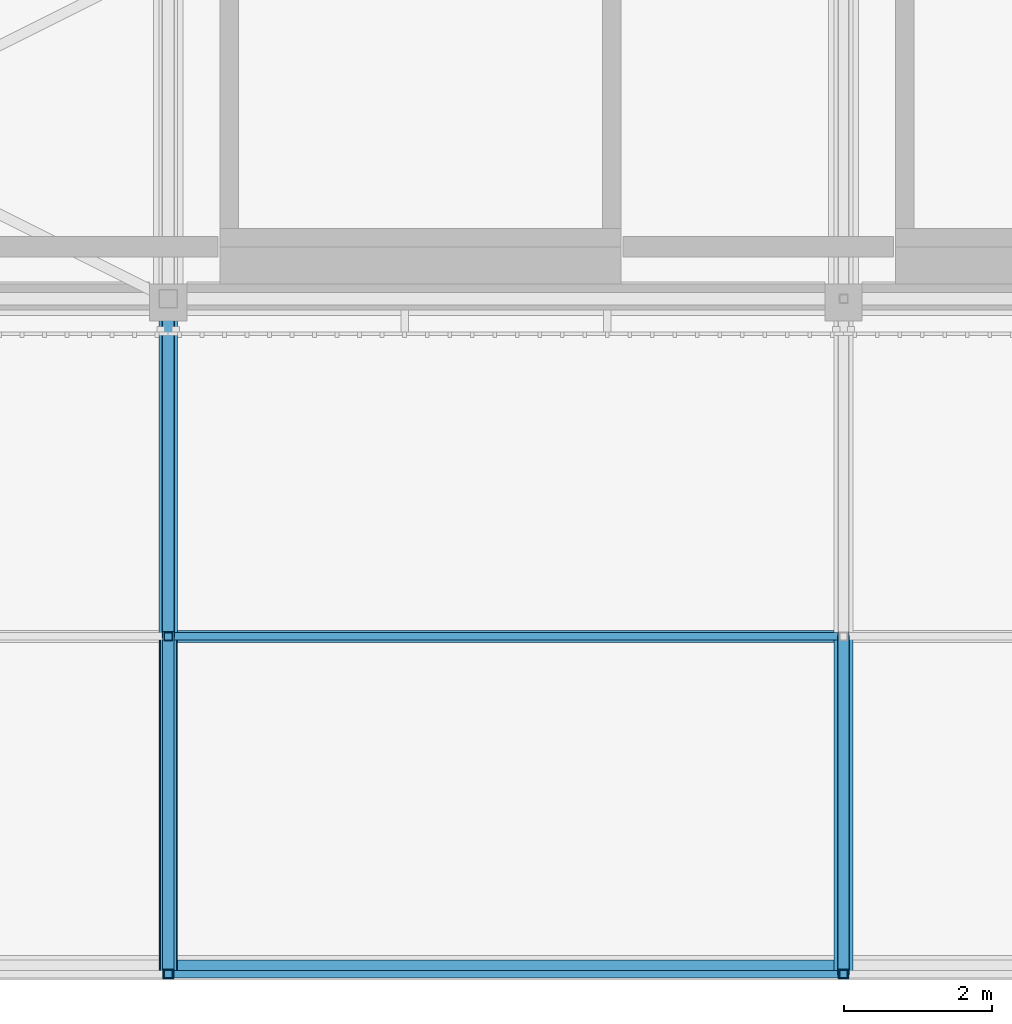
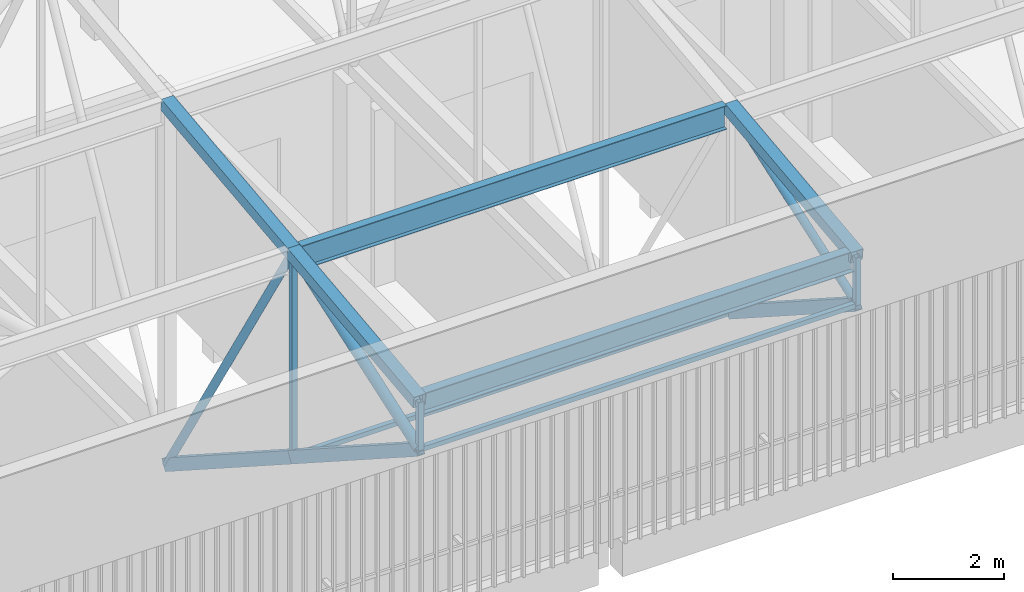
# One storey, part 7 of 500: 16 members.
"""IFC4 building model written with IfcOpenShell, lengths in metres."""

from ifc_helpers import new_model, si_unit, direction, frame, origin, origin_2d, place, context, subcontext, project, spatial, hollow_rectangle, hollow_circle, i_section, extrude, material, material_profile, profile_set, type_object, element, save


model = new_model("IFC4")

# Units and contexts
model_context = context("Model", 3, precision=1e-05, world=origin(), true_north=direction((0.0, 1.0)))
body_context = subcontext(model_context, "Body", "Model", "MODEL_VIEW")
ifc_project = project(units=[si_unit("LENGTHUNIT", "METRE"), si_unit("AREAUNIT", "SQUARE_METRE"), si_unit("VOLUMEUNIT", "CUBIC_METRE"), si_unit("PLANEANGLEUNIT", "RADIAN"), si_unit("MASSUNIT", "GRAM", prefix="KILO")], contexts=[model_context])

# Site, building, storey
site_placement = place(None, origin())
site = spatial("IfcSite", under=ifc_project, at=site_placement, CompositionType="ELEMENT")
building_placement = place(site_placement, origin())
building = spatial("IfcBuilding", under=site, at=building_placement, Name="Shirokan Park Arena", CompositionType="ELEMENT")
storey_placement = place(building_placement, frame((0.0, 0.0, 29.1201171875)))
storey = spatial("IfcBuildingStorey", under=building, at=storey_placement, Name="L06", CompositionType="ELEMENT", Elevation=29.1201171875)

# Members
ifc_material_1 = material(Name="Steel ASTM A500 Grade C", Category="steel")
ifc_material_profile_1 = material_profile(ifc_material_1, hollow_rectangle(XDim=0.152099609375, YDim=0.25390625, WallThickness=0.009521484375, at=origin_2d()), Name="HSS254X152.4X9.5")
ifc_profile_set_1 = profile_set([ifc_material_profile_1], Name="Steel ASTM A500 Grade C")
member_type_1 = type_object("IfcMemberType", Name="Bottom chord HSS254X152.4X9.5", PredefinedType="CHORD", material=ifc_profile_set_1)
for number, where, z_axis, x_axis, name in (
    (1, (9.10009765625, -9.10009765625, 10.531982421875), (0.0, 0.840971691661, -0.541079119746), (-1.0, 0.0, 0.0), "Truss T02 bottom chord 1"),
    (2, (9.10009765625, -4.550048828125, 7.6044921875), (0.0, 0.840971691661, -0.541079119746), (-1.0, 0.0, 0.0), "Truss T02 bottom chord 2"),
    (3, (18.199951171875, -9.10009765625, 10.531982421875), (0.0, 0.840971691661, -0.541079119746), (-1.0, 0.0, 0.0), "Truss T03 bottom chord 1"),
):
    element("IfcMember", number, at=place(storey_placement, frame(where, z_axis=z_axis, x_axis=x_axis)), inside=storey, type_object=member_type_1, Name=name, PredefinedType="CHORD", context=body_context, shape_type="SweptSolid", body=[
        extrude(hollow_rectangle(XDim=0.152099609375, YDim=0.25390625, WallThickness=0.009521484375, at=origin_2d()), origin(), (0.0, 0.0, 1.0), 5.410400390625),
    ])
ifc_material_profile_2 = material_profile(ifc_material_1, hollow_rectangle(XDim=0.10205078125, YDim=0.10205078125, WallThickness=0.00634765625, at=origin_2d()), Name="HSS101.6X101.6X6.4")
ifc_profile_set_2 = profile_set([ifc_material_profile_2], Name="Steel ASTM A500 Grade C")
member_type_2 = type_object("IfcMemberType", Name="Eave soffit rail HSS101.6X101.6X6.4", PredefinedType="USERDEFINED", material=ifc_profile_set_2)
for number, where, z_axis, x_axis, name in (
    (4, (9.156982421875, -9.10009765625, 10.531982421875), (1.0, 0.0, 0.0), (0.0, 1.0, 0.0), "Eave soffit rail S 1 bay 2"),
    (5, (9.156982421875, -4.550048828125, 7.6044921875), (1.0, 0.0, 0.0), (0.0, 1.0, 0.0), "Eave soffit rail S 2 bay 2"),
):
    element("IfcMember", number, at=place(storey_placement, frame(where, z_axis=z_axis, x_axis=x_axis)), inside=storey, type_object=member_type_2, Name=name, ObjectType="EAVE SOFFIT RAIL", PredefinedType="USERDEFINED", context=body_context, shape_type="SweptSolid", body=[
        extrude(hollow_rectangle(XDim=0.10205078125, YDim=0.10205078125, WallThickness=0.00634765625, at=origin_2d()), origin(), (0.0, 0.0, 1.0), 8.986083984375),
    ])
ifc_material_2 = material(Name="Steel ASTM A992", Category="steel")
ifc_material_profile_3 = material_profile(ifc_material_2, i_section(OverallWidth=0.166015625, OverallDepth=0.528076171875, WebThickness=0.009765625, FlangeThickness=0.013671875, at=origin_2d()), Name="W530X74")
ifc_profile_set_3 = profile_set([ifc_material_profile_3], Name="Steel ASTM A992")
member_type_3 = type_object("IfcMemberType", Name="Purlin W530X74", PredefinedType="PURLIN", material=ifc_profile_set_3)
member_1_placement = place(storey_placement, frame((9.22705078125, -4.550048828125, 11.9658203125), z_axis=(1.0, 0.0, 0.0), x_axis=(0.0, 1.0, 0.0)))
element("IfcMember", 6, at=member_1_placement, inside=storey, type_object=member_type_3, Name="Purlin 2 bay 2", PredefinedType="PURLIN", context=body_context, shape_type="SweptSolid", body=[
    extrude(i_section(OverallWidth=0.166015625, OverallDepth=0.528076171875, WebThickness=0.009765625, FlangeThickness=0.013671875, at=origin_2d()), origin(), (0.0, 0.0, 1.0), 8.845947265625),
])
ifc_material_profile_4 = material_profile(ifc_material_2, i_section(OverallWidth=0.19091796875, OverallDepth=0.45703125, WebThickness=0.009033203125, FlangeThickness=0.014404296875, at=origin_2d()), Name="W460X74")
ifc_profile_set_4 = profile_set([ifc_material_profile_4], Name="Steel ASTM A992")
member_type_4 = type_object("IfcMemberType", Name="Roof edge beam W460X74", PredefinedType="USERDEFINED", material=ifc_profile_set_4)
member_2_placement = place(storey_placement, frame((9.156982421875, -9.00439453125, 11.4814453125), z_axis=(1.0, 0.0, 0.0), x_axis=(0.0, 1.0, 0.0)))
element("IfcMember", 7, at=member_2_placement, inside=storey, type_object=member_type_4, Name="Roof edge beam S 3", ObjectType="ROOF EDGE BEAM", PredefinedType="USERDEFINED", context=body_context, shape_type="SweptSolid", body=[
    extrude(i_section(OverallWidth=0.19091796875, OverallDepth=0.45703125, WebThickness=0.009033203125, FlangeThickness=0.014404296875, at=origin_2d()), origin(), (0.0, 0.0, 1.0), 8.986083984375),
])
ifc_material_profile_5 = material_profile(ifc_material_1, hollow_rectangle(XDim=0.25390625, YDim=0.25390625, WallThickness=0.009521484375, at=origin_2d()), Name="HSS254X254X9.5")
ifc_profile_set_5 = profile_set([ifc_material_profile_5], Name="Steel ASTM A500 Grade C")
member_type_5 = type_object("IfcMemberType", Name="Top chord HSS254X254X9.5", PredefinedType="CHORD", material=ifc_profile_set_5)
for number, where, z_axis, x_axis, name in (
    (8, (9.10009765625, -9.10009765625, 11.582763671875), (0.0, 0.993532328996, 0.113549598152), (-1.0, 0.0, 0.0), "Truss T02 top chord 1"),
    (9, (9.10009765625, -4.550048828125, 12.102783203125), (0.0, 0.993532328996, 0.113549598152), (-1.0, 0.0, 0.0), "Truss T02 top chord 2"),
    (10, (18.199951171875, -9.10009765625, 11.582763671875), (0.0, 0.993532328996, 0.113549598152), (-1.0, 0.0, 0.0), "Truss T03 top chord 1"),
):
    element("IfcMember", number, at=place(storey_placement, frame(where, z_axis=z_axis, x_axis=x_axis)), inside=storey, type_object=member_type_5, Name=name, PredefinedType="CHORD", context=body_context, shape_type="SweptSolid", body=[
        extrude(hollow_rectangle(XDim=0.25390625, YDim=0.25390625, WallThickness=0.009521484375, at=origin_2d()), origin(), (0.0, 0.0, 1.0), 4.57958984375),
    ])
ifc_material_profile_6 = material_profile(ifc_material_1, hollow_circle(Radius=0.083984375, WallThickness=0.009521484375, at=origin_2d()), Name="HSS168.3X9.5")
ifc_profile_set_6 = profile_set([ifc_material_profile_6], Name="Steel ASTM A500 Grade C")
member_type_6 = type_object("IfcMemberType", Name="Truss diagonal HSS168.3X9.5", PredefinedType="BRACE", material=ifc_profile_set_6)
member_3_placement = place(storey_placement, frame((9.10009765625, -4.550048828125, 12.102783203125), z_axis=(0.0, 0.522458847856, -0.852664501605), x_axis=(-1.0, 0.0, 0.0)))
element("IfcMember", 11, at=member_3_placement, inside=storey, type_object=member_type_6, Name="Truss T02 diagonal 2", PredefinedType="BRACE", context=body_context, shape_type="SweptSolid", body=[
    extrude(hollow_circle(Radius=0.083984375, WallThickness=0.009521484375, at=origin_2d()), origin(), (0.0, 0.0, 1.0), 8.708984375),
])
member_4_placement = place(storey_placement, frame((18.199951171875, -9.10009765625, 10.531982421875), z_axis=(0.0, 0.945256498603, 0.326328288459), x_axis=(-1.0, 0.0, 0.0)))
element("IfcMember", 12, at=member_4_placement, inside=storey, type_object=member_type_6, Name="Truss T03 diagonal 1", PredefinedType="BRACE", context=body_context, shape_type="SweptSolid", body=[
    extrude(hollow_circle(Radius=0.083984375, WallThickness=0.009521484375, at=origin_2d()), origin(), (0.0, 0.0, 1.0), 4.8134765625),
])
ifc_material_profile_7 = material_profile(ifc_material_1, hollow_circle(Radius=0.109619140625, WallThickness=0.009521484375, at=origin_2d()), Name="HSS219.1X9.5")
ifc_profile_set_7 = profile_set([ifc_material_profile_7], Name="Steel ASTM A500 Grade C")
member_type_7 = type_object("IfcMemberType", Name="Truss diagonal HSS219.1X9.5", PredefinedType="BRACE", material=ifc_profile_set_7)
member_5_placement = place(storey_placement, frame((9.10009765625, -9.10009765625, 10.531982421875), z_axis=(0.0, 0.945256498603, 0.326328288459), x_axis=(-1.0, 0.0, 0.0)))
element("IfcMember", 13, at=member_5_placement, inside=storey, type_object=member_type_7, Name="Truss T02 diagonal 1", PredefinedType="BRACE", context=body_context, shape_type="SweptSolid", body=[
    extrude(hollow_circle(Radius=0.109619140625, WallThickness=0.009521484375, at=origin_2d()), origin(), (0.0, 0.0, 1.0), 4.8134765625),
])
ifc_material_profile_8 = material_profile(ifc_material_1, hollow_rectangle(XDim=0.114013671875, YDim=0.114013671875, WallThickness=0.00634765625, at=origin_2d()), Name="HSS114.3X114.3X6.4")
ifc_profile_set_8 = profile_set([ifc_material_profile_8], Name="Steel ASTM A500 Grade C")
member_type_8 = type_object("IfcMemberType", Name="Truss post HSS114.3X114.3X6.4", PredefinedType="POST", material=ifc_profile_set_8)
member_6_placement = place(storey_placement, frame((9.10009765625, -9.10009765625, 10.531982421875), z_axis=(0.0, 0.0, 1.0), x_axis=(1.0, 0.0, 0.0)))
element("IfcMember", 14, at=member_6_placement, inside=storey, type_object=member_type_8, Name="Truss T02 post 1", PredefinedType="POST", context=body_context, shape_type="SweptSolid", body=[
    extrude(hollow_rectangle(XDim=0.114013671875, YDim=0.114013671875, WallThickness=0.00634765625, at=origin_2d()), origin(), (0.0, 0.0, 1.0), 1.05078125),
])
member_7_placement = place(storey_placement, frame((9.10009765625, -4.550048828125, 7.6044921875), z_axis=(0.0, 0.0, 1.0), x_axis=(1.0, 0.0, 0.0)))
element("IfcMember", 15, at=member_7_placement, inside=storey, type_object=member_type_8, Name="Truss T02 post 2", PredefinedType="POST", context=body_context, shape_type="SweptSolid", body=[
    extrude(hollow_rectangle(XDim=0.114013671875, YDim=0.114013671875, WallThickness=0.00634765625, at=origin_2d()), origin(), (0.0, 0.0, 1.0), 4.498291015625),
])
member_8_placement = place(storey_placement, frame((18.199951171875, -9.10009765625, 10.531982421875), z_axis=(0.0, 0.0, 1.0), x_axis=(1.0, 0.0, 0.0)))
element("IfcMember", 16, at=member_8_placement, inside=storey, type_object=member_type_8, Name="Truss T03 post 1", PredefinedType="POST", context=body_context, shape_type="SweptSolid", body=[
    extrude(hollow_rectangle(XDim=0.114013671875, YDim=0.114013671875, WallThickness=0.00634765625, at=origin_2d()), origin(), (0.0, 0.0, 1.0), 1.05078125),
])

save(model, "model.ifc")
